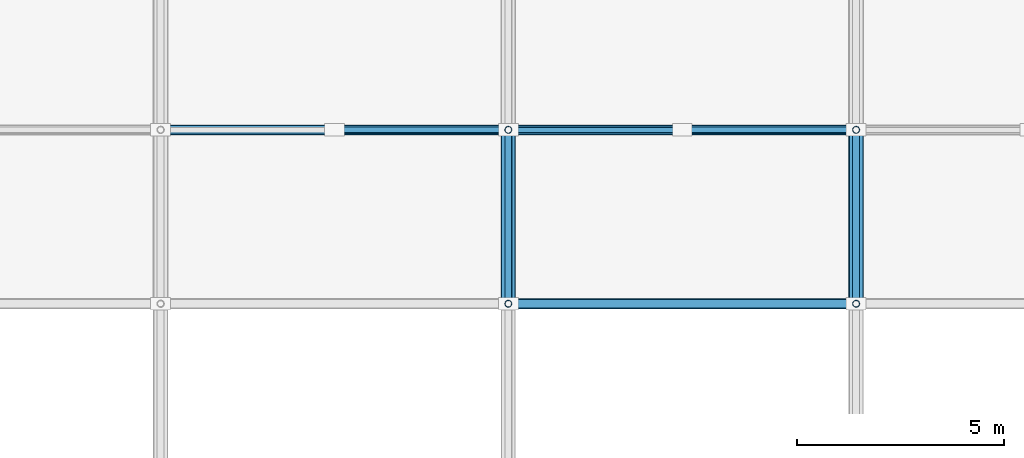
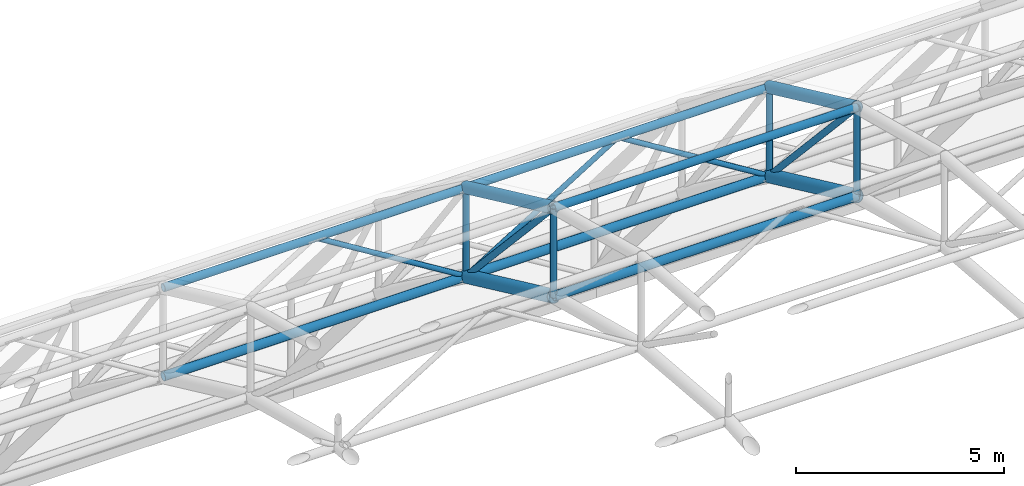
# One storey, part 39 of 103: 15 members, 4 beams.
"""IFC4 building model written with IfcOpenShell, lengths in metres."""

from ifc_helpers import new_model, si_unit, direction, frame, origin, origin_2d, place, context, subcontext, project, spatial, hollow_circle, extrude, material, material_profile, profile_set, type_object, element, save


model = new_model("IFC4")

# Units and contexts
model_context = context("Model", 3, precision=1e-05, world=origin(), true_north=direction((0.0, 1.0)))
body_context = subcontext(model_context, "Body", "Model", "MODEL_VIEW")
ifc_project = project(units=[si_unit("LENGTHUNIT", "METRE"), si_unit("AREAUNIT", "SQUARE_METRE"), si_unit("VOLUMEUNIT", "CUBIC_METRE"), si_unit("PLANEANGLEUNIT", "RADIAN"), si_unit("MASSUNIT", "GRAM", prefix="KILO")], contexts=[model_context])

# Site, building, storey
site_placement = place(None, origin())
site = spatial("IfcSite", under=ifc_project, at=site_placement, CompositionType="ELEMENT")
building_placement = place(site_placement, origin())
building = spatial("IfcBuilding", under=site, at=building_placement, Name="Varnapada Polytechnic", CompositionType="ELEMENT")
storey_placement = place(building_placement, frame((0.0, 0.0, 18.0)))
storey = spatial("IfcBuildingStorey", under=building, at=storey_placement, Name="L04", CompositionType="ELEMENT", Elevation=18.0)

# Members
ifc_material = material(Name="Steel S355", Category="steel")
ifc_material_profile_1 = material_profile(ifc_material, hollow_circle(Radius=0.122314453125, WallThickness=0.008056640625, at=origin_2d()), Name="CHS 244.5x8.0")
ifc_profile_set_1 = profile_set([ifc_material_profile_1], Name="Steel S355")
member_type_1 = type_object("IfcMemberType", Name="Vaulted space frame longitudinal bottom chord SFC-01 (CHS 244.5x8.0)", PredefinedType="CHORD", material=ifc_profile_set_1)
for number, where, z_axis, x_axis, name in (
    (1, (75.60009765625, 117.60009765625, 8.02783203125), (1.0, 0.0, 0.0), (0.0, 1.0, 0.0), "Vaulted space frame longitudinal bottom chord 4.9"),
    (2, (84.0, 113.39990234375, 9.98193359375), (1.0, 0.0, 0.0), (0.0, 1.0, 0.0), "Vaulted space frame longitudinal bottom chord 5.8"),
    (3, (84.0, 117.60009765625, 8.02783203125), (1.0, 0.0, 0.0), (0.0, 1.0, 0.0), "Vaulted space frame longitudinal bottom chord 5.9"),
):
    element("IfcMember", number, at=place(storey_placement, frame(where, z_axis=z_axis, x_axis=x_axis)), inside=storey, type_object=member_type_1, Name=name, PredefinedType="CHORD", context=body_context, shape_type="SweptSolid", body=[
        extrude(hollow_circle(Radius=0.122314453125, WallThickness=0.008056640625, at=origin_2d()), origin(), (0.0, 0.0, 1.0), 8.39990234375),
    ])
ifc_material_profile_2 = material_profile(ifc_material, hollow_circle(Radius=0.109619140625, WallThickness=0.008056640625, at=origin_2d()), Name="CHS 219.1x8.0")
ifc_profile_set_2 = profile_set([ifc_material_profile_2], Name="Steel S355")
member_type_2 = type_object("IfcMemberType", Name="Vaulted space frame longitudinal top chord SFC-02 (CHS 219.1x8.0)", PredefinedType="CHORD", material=ifc_profile_set_2)
for number, where, z_axis, x_axis, name in (
    (4, (75.60009765625, 117.60009765625, 10.6279296875), (1.0, 0.0, 0.0), (0.0, 1.0, 0.0), "Vaulted space frame longitudinal top chord 4.9"),
    (5, (84.0, 113.39990234375, 12.581787109375), (1.0, 0.0, 0.0), (0.0, 1.0, 0.0), "Vaulted space frame longitudinal top chord 5.8"),
    (6, (84.0, 117.60009765625, 10.6279296875), (1.0, 0.0, 0.0), (0.0, 1.0, 0.0), "Vaulted space frame longitudinal top chord 5.9"),
):
    element("IfcMember", number, at=place(storey_placement, frame(where, z_axis=z_axis, x_axis=x_axis)), inside=storey, type_object=member_type_2, Name=name, PredefinedType="CHORD", context=body_context, shape_type="SweptSolid", body=[
        extrude(hollow_circle(Radius=0.109619140625, WallThickness=0.008056640625, at=origin_2d()), origin(), (0.0, 0.0, 1.0), 8.39990234375),
    ])

# Beams
ifc_material_profile_3 = material_profile(ifc_material, hollow_circle(Radius=0.177734375, WallThickness=0.012451171875, at=origin_2d()), Name="CHS 355.6x12.5")
ifc_profile_set_3 = profile_set([ifc_material_profile_3], Name="Steel S355")
beam_type_1 = type_object("IfcBeamType", Name="Vaulted space frame primary arch rib VA-01 (CHS 355.6x12.5)", PredefinedType="BEAM", material=ifc_profile_set_3)
for number, where, z_axis, x_axis, name in (
    (7, (84.0, 113.39990234375, 9.98193359375), (0.0, 0.906677989805, -0.421823449802), (-1.0, 0.0, 0.0), "Vaulted space frame bottom arch chord 5.8"),
    (8, (92.39990234375, 113.39990234375, 9.98193359375), (0.0, 0.906677989805, -0.421823449802), (-1.0, 0.0, 0.0), "Vaulted space frame bottom arch chord 6.8"),
):
    element("IfcBeam", number, at=place(storey_placement, frame(where, z_axis=z_axis, x_axis=x_axis)), inside=storey, type_object=beam_type_1, Name=name, PredefinedType="BEAM", context=body_context, shape_type="SweptSolid", body=[
        extrude(hollow_circle(Radius=0.177734375, WallThickness=0.012451171875, at=origin_2d()), origin(), (0.0, 0.0, 1.0), 4.632568359375),
    ])

# Members
ifc_material_profile_4 = material_profile(ifc_material, hollow_circle(Radius=0.084228515625, WallThickness=0.00634765625, at=origin_2d()), Name="CHS 168.3x6.3")
ifc_profile_set_4 = profile_set([ifc_material_profile_4], Name="Steel S355")
member_type_3 = type_object("IfcMemberType", Name="Vaulted space frame primary web diagonal SFB-01 (CHS 168.3x6.3)", PredefinedType="BRACE", material=ifc_profile_set_4)
for number, where, z_axis, x_axis, name in (
    (9, (84.0, 113.39990234375, 12.581787109375), (0.0, 0.677978881407, -0.735081380777), (-1.0, 0.0, 0.0), "Vaulted space frame web diagonal 5.8"),
    (10, (92.39990234375, 113.39990234375, 12.581787109375), (0.0, 0.677978881407, -0.735081380777), (-1.0, 0.0, 0.0), "Vaulted space frame web diagonal 6.8"),
):
    element("IfcMember", number, at=place(storey_placement, frame(where, z_axis=z_axis, x_axis=x_axis)), inside=storey, type_object=member_type_3, Name=name, PredefinedType="BRACE", context=body_context, shape_type="SweptSolid", body=[
        extrude(hollow_circle(Radius=0.084228515625, WallThickness=0.00634765625, at=origin_2d()), origin(), (0.0, 0.0, 1.0), 6.195068359375),
    ])
ifc_material_profile_5 = material_profile(ifc_material, hollow_circle(Radius=0.084228515625, WallThickness=0.00634765625, at=origin_2d()), Name="CHS 168.3x6.3")
ifc_profile_set_5 = profile_set([ifc_material_profile_5], Name="Steel S355")
member_type_4 = type_object("IfcMemberType", Name="Vaulted space frame radial web strut SFS-01 (CHS 168.3x6.3)", PredefinedType="STRUT", material=ifc_profile_set_5)
member_1_placement = place(storey_placement, frame((84.0, 113.39990234375, 9.98193359375), z_axis=(0.0, 0.0, 1.0), x_axis=(1.0, 0.0, 0.0)))
element("IfcMember", 11, at=member_1_placement, inside=storey, type_object=member_type_4, Name="Vaulted space frame strut 5.8", PredefinedType="STRUT", context=body_context, shape_type="SweptSolid", body=[
    extrude(hollow_circle(Radius=0.084228515625, WallThickness=0.00634765625, at=origin_2d()), origin(), (0.0, 0.0, 1.0), 2.599853515625),
])
member_2_placement = place(storey_placement, frame((84.0, 117.60009765625, 8.02783203125), z_axis=(0.0, 0.0, 1.0), x_axis=(1.0, 0.0, 0.0)))
element("IfcMember", 12, at=member_2_placement, inside=storey, type_object=member_type_4, Name="Vaulted space frame strut 5.9", PredefinedType="STRUT", context=body_context, shape_type="SweptSolid", body=[
    extrude(hollow_circle(Radius=0.084228515625, WallThickness=0.00634765625, at=origin_2d()), origin(), (0.0, 0.0, 1.0), 2.60009765625),
])
member_3_placement = place(storey_placement, frame((92.39990234375, 113.39990234375, 9.98193359375), z_axis=(0.0, 0.0, 1.0), x_axis=(1.0, 0.0, 0.0)))
element("IfcMember", 13, at=member_3_placement, inside=storey, type_object=member_type_4, Name="Vaulted space frame strut 6.8", PredefinedType="STRUT", context=body_context, shape_type="SweptSolid", body=[
    extrude(hollow_circle(Radius=0.084228515625, WallThickness=0.00634765625, at=origin_2d()), origin(), (0.0, 0.0, 1.0), 2.599853515625),
])
member_4_placement = place(storey_placement, frame((92.39990234375, 117.60009765625, 8.02783203125), z_axis=(0.0, 0.0, 1.0), x_axis=(1.0, 0.0, 0.0)))
element("IfcMember", 14, at=member_4_placement, inside=storey, type_object=member_type_4, Name="Vaulted space frame strut 6.9", PredefinedType="STRUT", context=body_context, shape_type="SweptSolid", body=[
    extrude(hollow_circle(Radius=0.084228515625, WallThickness=0.00634765625, at=origin_2d()), origin(), (0.0, 0.0, 1.0), 2.60009765625),
])
ifc_material_profile_6 = material_profile(ifc_material, hollow_circle(Radius=0.06982421875, WallThickness=0.0048828125, at=origin_2d()), Name="CHS 139.7x5.0")
ifc_profile_set_6 = profile_set([ifc_material_profile_6], Name="Steel S355")
member_type_5 = type_object("IfcMemberType", Name="Vaulted space frame secondary web diagonal SFB-02 (CHS 139.7x5.0)", PredefinedType="BRACE", material=ifc_profile_set_6)
for number, where, z_axis, x_axis, name in (
    (15, (84.0, 117.60009765625, 8.02783203125), (-0.85025356003, 0.0, 0.526373331065), (0.0, -1.0, 0.0), "Vaulted space frame longitudinal brace 4.9B"),
    (16, (84.0, 117.60009765625, 8.02783203125), (0.85025356003, 0.0, 0.526373331065), (0.0, 1.0, 0.0), "Vaulted space frame longitudinal brace 5.9A"),
    (17, (92.39990234375, 117.60009765625, 8.02783203125), (-0.85025356003, 0.0, 0.526373331065), (0.0, -1.0, 0.0), "Vaulted space frame longitudinal brace 5.9B"),
):
    element("IfcMember", number, at=place(storey_placement, frame(where, z_axis=z_axis, x_axis=x_axis)), inside=storey, type_object=member_type_5, Name=name, PredefinedType="BRACE", context=body_context, shape_type="SweptSolid", body=[
        extrude(hollow_circle(Radius=0.06982421875, WallThickness=0.0048828125, at=origin_2d()), origin(), (0.0, 0.0, 1.0), 4.939697265625),
    ])

# Beams
ifc_material_profile_7 = material_profile(ifc_material, hollow_circle(Radius=0.161865234375, WallThickness=0.010009765625, at=origin_2d()), Name="CHS 323.9x10.0")
ifc_profile_set_7 = profile_set([ifc_material_profile_7], Name="Steel S355")
beam_type_2 = type_object("IfcBeamType", Name="Vaulted space frame upper arch rib VA-02 (CHS 323.9x10.0)", PredefinedType="BEAM", material=ifc_profile_set_7)
for number, where, z_axis, x_axis, name in (
    (18, (84.0, 113.39990234375, 12.581787109375), (0.0, 0.906698145361, -0.421780124234), (-1.0, 0.0, 0.0), "Vaulted space frame top arch chord 5.8"),
    (19, (92.39990234375, 113.39990234375, 12.581787109375), (0.0, 0.906698145361, -0.421780124234), (-1.0, 0.0, 0.0), "Vaulted space frame top arch chord 6.8"),
):
    element("IfcBeam", number, at=place(storey_placement, frame(where, z_axis=z_axis, x_axis=x_axis)), inside=storey, type_object=beam_type_2, Name=name, PredefinedType="BEAM", context=body_context, shape_type="SweptSolid", body=[
        extrude(hollow_circle(Radius=0.161865234375, WallThickness=0.010009765625, at=origin_2d()), origin(), (0.0, 0.0, 1.0), 4.63232421875),
    ])

save(model, "model.ifc")
